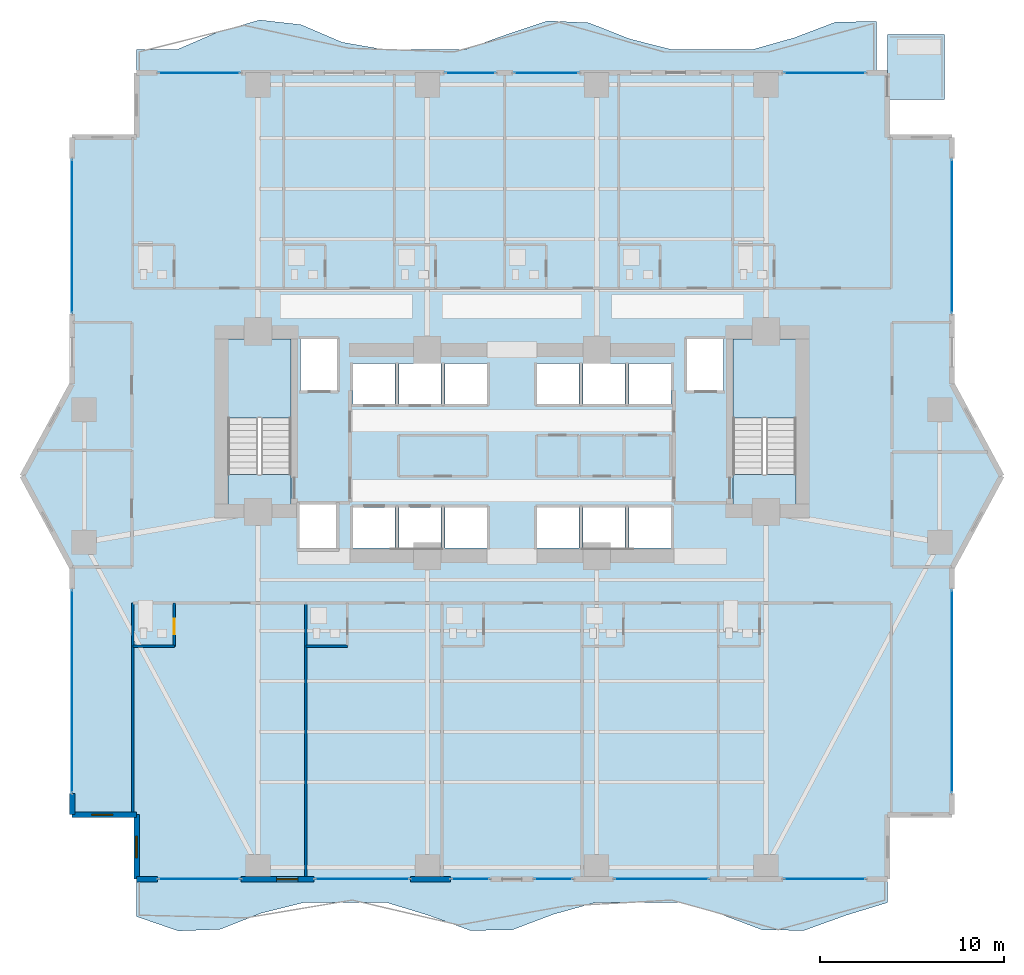
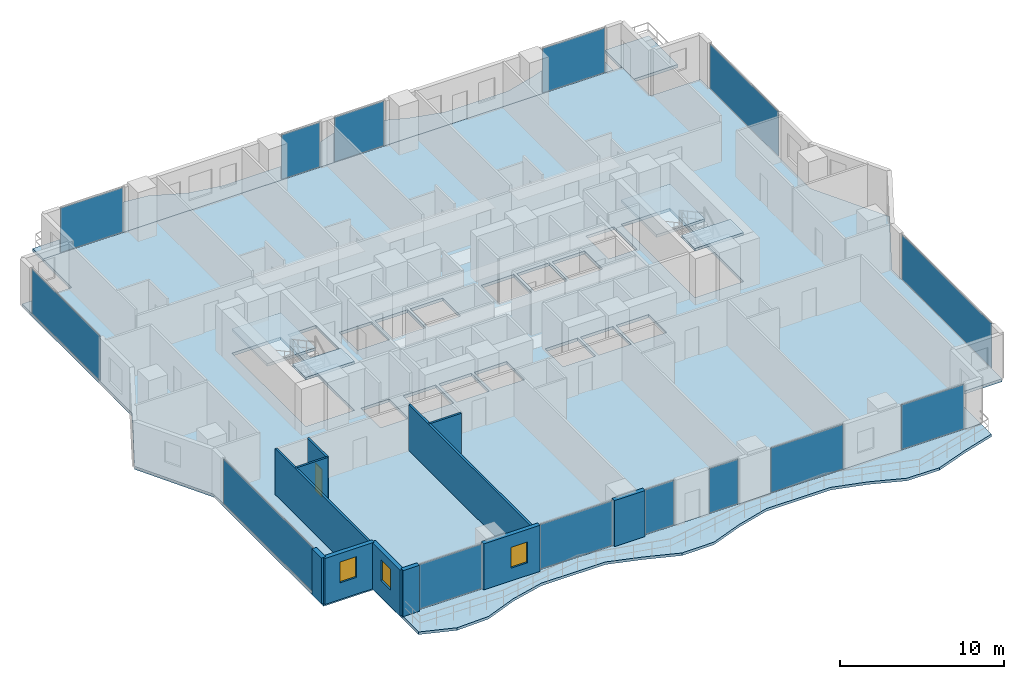
# One storey, part 19 of 28: 14 plates, 11 walls, 8 slabs, 3 windows, 1 door, 4 openings, 16 elements without a shape of their own.
"""IFC4 building model written with IfcOpenShell, lengths in metres."""

import ifcopenshell
import ifcopenshell.guid

model = None  # the IFC model being written
_history = None  # IfcOwnerHistory: only IFC2X3 demands one
_inside = {}  # id of a spatial element -> (the spatial element, [elements in it])
_under = {}  # id of a project, library or spatial element -> (it, [spatial elements below it])
_declared = {}  # id of a project -> (the project, [libraries it declares])
_typed = {}  # id of a type object -> (the type object, [elements of that type])
_made_of = {}  # id of a material, layer set ... -> (it, [elements and type objects made of it])


def new_model(schema):
    """Start an empty IFC model of exactly this schema.

    Asked for "IFC4X3", IfcOpenShell would pick the latest addendum, in which some entities
    have other attributes; the version numbers below select the first issue.
    IFC2X3 requires an IfcOwnerHistory on every rooted entity: one is made here for all.
    """
    global model, _history
    if schema == "IFC4X3":
        model = ifcopenshell.file(schema_version=(4, 3, 0, 0))
    else:
        model = ifcopenshell.file(schema=schema)
    _inside.clear()
    _under.clear()
    _declared.clear()
    _typed.clear()
    _made_of.clear()
    _history = None
    if model.schema == "IFC2X3":
        org = make("IfcOrganization", Name="unknown")
        user = make(
            "IfcPersonAndOrganization",
            ThePerson=make("IfcPerson", FamilyName="unknown"),
            TheOrganization=org,
        )
        app = make(
            "IfcApplication",
            ApplicationDeveloper=org,
            Version="unknown",
            ApplicationFullName="unknown",
            ApplicationIdentifier="unknown",
        )
        _history = make(
            "IfcOwnerHistory",
            OwningUser=user,
            OwningApplication=app,
            ChangeAction="ADDED",
            CreationDate=0,
        )
    return model


def make(cls, **values):
    """One entity of the class cls with the attributes given. An attribute that is None is left unset."""
    return model.create_entity(
        cls, **{name: value for name, value in values.items() if value is not None}
    )


def rooted(cls, **values):
    """An entity with a GlobalId (a new one), such as an element, a storey or a relation."""
    return make(cls, GlobalId=ifcopenshell.guid.new(), OwnerHistory=_history, **values)


def si_unit(unit_type, name, prefix=None):
    """IfcSIUnit, for example si_unit("LENGTHUNIT", "METRE", prefix="MILLI")."""
    return make("IfcSIUnit", UnitType=unit_type, Prefix=prefix, Name=name)


def assignment(units):
    """IfcUnitAssignment: the units of a project."""
    return None if units is None else make("IfcUnitAssignment", Units=units)


def point(xyz):
    """IfcCartesianPoint."""
    return None if xyz is None else make("IfcCartesianPoint", Coordinates=xyz)


def direction(xyz):
    """IfcDirection."""
    return None if xyz is None else make("IfcDirection", DirectionRatios=xyz)


def frame(location, z_axis=None, x_axis=None):
    """IfcAxis2Placement3D, a coordinate frame: its origin and axes. An axis left out is left unset."""
    return make(
        "IfcAxis2Placement3D",
        Location=point(location),
        Axis=direction(z_axis),
        RefDirection=direction(x_axis),
    )


def frame_2d(location, x_axis=None):
    """IfcAxis2Placement2D, a coordinate frame in the plane: its origin and x axis."""
    return make(
        "IfcAxis2Placement2D", Location=point(location), RefDirection=direction(x_axis)
    )


def origin():
    """The frame at (0, 0, 0) with its axes left unset."""
    return frame((0.0, 0.0, 0.0))


def origin_2d():
    """The frame at (0, 0) in the plane with its x axis left unset."""
    return frame_2d((0.0, 0.0))


def place(relative_to, where):
    """IfcLocalPlacement: puts the frame where relative to a parent placement (None: the world)."""
    return make(
        "IfcLocalPlacement", PlacementRelTo=relative_to, RelativePlacement=where
    )


def context(
    kind, dimensions, precision=None, world=None, true_north=None, identifier=None
):
    """IfcGeometricRepresentationContext, for example the 3D "Model" context."""
    return make(
        "IfcGeometricRepresentationContext",
        ContextIdentifier=identifier,
        ContextType=kind,
        CoordinateSpaceDimension=dimensions,
        Precision=precision,
        WorldCoordinateSystem=world,
        TrueNorth=true_north,
    )


def subcontext(parent, identifier, kind, view, scale=None):
    """IfcGeometricRepresentationSubContext, for example "Body" below "Model"."""
    return make(
        "IfcGeometricRepresentationSubContext",
        ContextIdentifier=identifier,
        ContextType=kind,
        ParentContext=parent,
        TargetScale=scale,
        TargetView=view,
    )


def project(units=None, contexts=None):
    """IfcProject with its units and contexts."""
    return rooted(
        "IfcProject",
        Name="project",
        RepresentationContexts=contexts,
        UnitsInContext=assignment(units),
    )


def spatial(cls, under=None, at=None, **own):
    """A site, building, storey or space (cls), placed at a placement, below another one or the project."""
    s = rooted(cls, ObjectPlacement=at, **own)
    if under is not None:
        _under.setdefault(under.id(), (under, []))[1].append(s)
    return s


def polyline(points):
    """IfcPolyline through the points."""
    return make("IfcPolyline", Points=[point(p) for p in points])


def profile(cls, at=None, kind="AREA", **sizes):
    """A parametric profile (cls). Its sizes go by their IFC names, for example OverallWidth=200.0."""
    return make(cls, ProfileType=kind, Position=at, **sizes)


def rectangle(**sizes):
    """IfcRectangleProfileDef."""
    return profile("IfcRectangleProfileDef", **sizes)


def outline(outer, holes=None, kind="AREA"):
    """IfcArbitraryClosedProfileDef: a profile drawn as a closed curve; with holes, ...WithVoids."""
    if holes is None:
        return make("IfcArbitraryClosedProfileDef", ProfileType=kind, OuterCurve=outer)
    return make(
        "IfcArbitraryProfileDefWithVoids",
        ProfileType=kind,
        OuterCurve=outer,
        InnerCurves=holes,
    )


def extrude(swept, where, along, depth):
    """IfcExtrudedAreaSolid: the profile swept, set in the frame where, extruded along a direction by depth."""
    return make(
        "IfcExtrudedAreaSolid",
        SweptArea=swept,
        Position=where,
        ExtrudedDirection=direction(along),
        Depth=depth,
    )


def shape(context_of_items, identifier, shape_type, items):
    """IfcShapeRepresentation: the items that make up one representation, for example the "Body"."""
    return make(
        "IfcShapeRepresentation",
        ContextOfItems=context_of_items,
        RepresentationIdentifier=identifier,
        RepresentationType=shape_type,
        Items=items,
    )


def material(Name=None, Category=None):
    """IfcMaterial."""
    return make("IfcMaterial", Name=Name, Category=Category)


def layer(
    of_material, thickness, ventilated=None, Name=None, Category=None, Priority=None
):
    """IfcMaterialLayer: one layer of a wall or slab, of a material (None: an air gap)."""
    return make(
        "IfcMaterialLayer",
        Material=of_material,
        LayerThickness=thickness,
        IsVentilated=ventilated,
        Name=Name,
        Category=Category,
        Priority=Priority,
    )


def layer_set(layers, Name=None):
    """IfcMaterialLayerSet."""
    return make("IfcMaterialLayerSet", MaterialLayers=layers, LayerSetName=Name)


def made_of(thing, what):
    """Note that an element or type object is made of a material, layer set ...; save() writes the relation."""
    if what is not None:
        _made_of.setdefault(what.id(), (what, []))[1].append(thing)
    return thing


def type_object(cls, material=None, **own):
    """A type object (cls), such as IfcWallType, which elements share."""
    return made_of(rooted(cls, **own), material)


def element(
    cls,
    number,
    at=None,
    inside=None,
    cuts=None,
    type_object=None,
    material=None,
    context=None,
    identifier="Body",
    shape_type=None,
    held_by="IfcProductDefinitionShape",
    body=None,
    shapes=None,
    **own,
):
    """One element of the class cls, such as IfcWall. Its Tag is "e" and its number.

    at: its placement. inside: the storey or other place that contains it. cuts: it is an
    opening in that element (IfcRelVoidsElement). A single representation is given by context,
    identifier, shape_type and body (its items); several are given by shapes. held_by: the class
    of the entity that holds the representations. save() writes the other relations.
    """
    e = rooted(cls, Tag="e%d" % number, ObjectPlacement=at, **own)
    if body is not None:
        shapes = [shape(context, identifier, shape_type, body)]
    if shapes is not None:
        e.Representation = make(held_by, Representations=shapes)
    if inside is not None:
        _inside.setdefault(inside.id(), (inside, []))[1].append(e)
    if cuts is not None:
        rooted(
            "IfcRelVoidsElement", RelatingBuildingElement=cuts, RelatedOpeningElement=e
        )
    if type_object is not None:
        _typed.setdefault(type_object.id(), (type_object, []))[1].append(e)
    return made_of(e, material)


def fill(opening, filler):
    """IfcRelFillsElement: the door or window that sits in an opening."""
    return rooted(
        "IfcRelFillsElement",
        RelatingOpeningElement=opening,
        RelatedBuildingElement=filler,
    )


def aggregate(whole, parts):
    """IfcRelAggregates: a whole, such as a stair, and the parts it consists of."""
    return rooted("IfcRelAggregates", RelatingObject=whole, RelatedObjects=parts)


def save(model, path):
    """Write the relations noted so far, then the file.

    IfcRelAggregates (storeys below a building ...), IfcRelContainedInSpatialStructure (elements
    in a storey), IfcRelDefinesByType, IfcRelAssociatesMaterial and IfcRelDeclares: one each for
    every whole, place, type object, material and project.
    """
    for whole, parts in _under.values():
        aggregate(whole, parts)
    for where, things in _inside.values():
        rooted(
            "IfcRelContainedInSpatialStructure",
            RelatedElements=things,
            RelatingStructure=where,
        )
    for kind, things in _typed.values():
        rooted("IfcRelDefinesByType", RelatedObjects=things, RelatingType=kind)
    for what, things in _made_of.values():
        rooted("IfcRelAssociatesMaterial", RelatedObjects=things, RelatingMaterial=what)
    for by, libraries in _declared.values():
        rooted("IfcRelDeclares", RelatingContext=by, RelatedDefinitions=libraries)
    model.write(path)


model = new_model("IFC4")

# Units and contexts
model_context = context("Model", 3, precision=1e-05, world=origin(), true_north=direction((0.0, 1.0)))
body_context = subcontext(model_context, "Body", "Model", "MODEL_VIEW")
ifc_project = project(units=[si_unit("LENGTHUNIT", "METRE"), si_unit("AREAUNIT", "SQUARE_METRE"), si_unit("VOLUMEUNIT", "CUBIC_METRE"), si_unit("PLANEANGLEUNIT", "RADIAN"), si_unit("MASSUNIT", "GRAM", prefix="KILO")], contexts=[model_context])

# Site, building, storey
site_placement = place(None, origin())
site = spatial("IfcSite", under=ifc_project, at=site_placement, CompositionType="ELEMENT")
building_placement = place(site_placement, origin())
building = spatial("IfcBuilding", under=site, at=building_placement, Name="Zuhayl Quay Hotel", CompositionType="ELEMENT")
storey_placement = place(building_placement, frame((0.0, 0.0, 99.300048828125)))
storey = spatial("IfcBuildingStorey", under=building, at=storey_placement, Name="L24", CompositionType="ELEMENT", Elevation=99.300048828125)

# Curtain wall, plate
ifc_material_1 = material(Name="Anodised Aluminium 6063-T6", Category="aluminium")
ifc_layer_1 = layer(ifc_material_1, 0.179931640625, Name="Anodised Aluminium 6063-T6", Category="aluminium")
ifc_layer_set_1 = layer_set([ifc_layer_1], Name="Anodised Aluminium 6063-T6")
curtain_wall_type = type_object("IfcCurtainWallType", Name="CW_SYS_Z2", PredefinedType="USERDEFINED", material=ifc_layer_set_1)
curtain_wall_1_placement = place(storey_placement, origin())
curtain_wall_1 = element("IfcCurtainWall", 1, at=curtain_wall_1_placement, inside=storey, type_object=curtain_wall_type, Name="L24 Curtain Wall ENV_L24_E02_CW1", ObjectType="UNITISED CURTAIN WALL", PredefinedType="USERDEFINED")
ifc_material_2 = material(Name="Dark Ceramic-Fritted Solar Glass", Category="glass")
ifc_layer_2 = layer(ifc_material_2, 0.035888671875, Name="Dark Ceramic-Fritted Solar Glass", Category="glass")
ifc_layer_set_2 = layer_set([ifc_layer_2], Name="Dark Ceramic-Fritted Solar Glass")
plate_type = type_object("IfcPlateType", Name="PN_DARK_FRIT_Z1", PredefinedType="CURTAIN_PANEL", material=ifc_layer_set_2)
plate_1_placement = place(storey_placement, frame((-23.89990234375, -5.199951171875, 0.059814453125), z_axis=(0.0, 0.0, 1.0), x_axis=(0.0, 1.0, 0.0)))
plate_1 = element("IfcPlate", 2, at=plate_1_placement, type_object=plate_type, Name="CW-Z2 panel 1.1", PredefinedType="CURTAIN_PANEL", context=body_context, shape_type="SweptSolid", body=[
    extrude(rectangle(XDim=10.969970703125, YDim=0.035888671875, at=origin_2d()), origin(), (0.0, 0.0, 1.0), 3.31005859375),
])
aggregate(curtain_wall_1, [plate_1])

curtain_wall_2_placement = place(storey_placement, origin())
curtain_wall_2 = element("IfcCurtainWall", 3, at=curtain_wall_2_placement, inside=storey, type_object=curtain_wall_type, Name="L24 Curtain Wall ENV_L24_E05_CW1", ObjectType="UNITISED CURTAIN WALL", PredefinedType="USERDEFINED")
plate_2_placement = place(storey_placement, frame((-23.89990234375, 19.52490234375, 0.059814453125), z_axis=(0.0, 0.0, 1.0), x_axis=(0.0, 1.0, 0.0)))
plate_2 = element("IfcPlate", 4, at=plate_2_placement, type_object=plate_type, Name="CW-Z2 panel 1.1", PredefinedType="CURTAIN_PANEL", context=body_context, shape_type="SweptSolid", body=[
    extrude(rectangle(XDim=8.320068359375, YDim=0.035888671875, at=origin_2d()), origin(), (0.0, 0.0, 1.0), 3.31005859375),
])
aggregate(curtain_wall_2, [plate_2])

curtain_wall_3_placement = place(storey_placement, origin())
curtain_wall_3 = element("IfcCurtainWall", 5, at=curtain_wall_3_placement, inside=storey, type_object=curtain_wall_type, Name="L24 Curtain Wall ENV_L24_N_CW1", ObjectType="UNITISED CURTAIN WALL", PredefinedType="USERDEFINED")
plate_3_placement = place(storey_placement, frame((-16.985107421875, 28.39990234375, 0.059814453125), z_axis=(0.0, 0.0, 1.0), x_axis=(1.0, 0.0, 0.0)))
plate_3 = element("IfcPlate", 6, at=plate_3_placement, type_object=plate_type, Name="CW-Z2 panel 1.1", PredefinedType="CURTAIN_PANEL", context=body_context, shape_type="SweptSolid", body=[
    extrude(rectangle(XDim=4.39990234375, YDim=0.035888671875, at=origin_2d()), origin(), (0.0, 0.0, 1.0), 3.31005859375),
])
aggregate(curtain_wall_3, [plate_3])

curtain_wall_4_placement = place(storey_placement, origin())
curtain_wall_4 = element("IfcCurtainWall", 7, at=curtain_wall_4_placement, inside=storey, type_object=curtain_wall_type, Name="L24 Curtain Wall ENV_L24_N_CW2", ObjectType="UNITISED CURTAIN WALL", PredefinedType="USERDEFINED")
plate_4_placement = place(storey_placement, frame((-2.264892578125, 28.39990234375, 0.059814453125), z_axis=(0.0, 0.0, 1.0), x_axis=(1.0, 0.0, 0.0)))
plate_4 = element("IfcPlate", 8, at=plate_4_placement, type_object=plate_type, Name="CW-Z2 panel 1.1", PredefinedType="CURTAIN_PANEL", context=body_context, shape_type="SweptSolid", body=[
    extrude(rectangle(XDim=2.699951171875, YDim=0.035888671875, at=origin_2d()), origin(), (0.0, 0.0, 1.0), 3.31005859375),
])
aggregate(curtain_wall_4, [plate_4])

curtain_wall_5_placement = place(storey_placement, origin())
curtain_wall_5 = element("IfcCurtainWall", 9, at=curtain_wall_5_placement, inside=storey, type_object=curtain_wall_type, Name="L24 Curtain Wall ENV_L24_N_CW3", ObjectType="UNITISED CURTAIN WALL", PredefinedType="USERDEFINED")
plate_5_placement = place(storey_placement, frame((1.864990234375, 28.39990234375, 0.059814453125), z_axis=(0.0, 0.0, 1.0), x_axis=(1.0, 0.0, 0.0)))
plate_5 = element("IfcPlate", 10, at=plate_5_placement, type_object=plate_type, Name="CW-Z2 panel 1.1", PredefinedType="CURTAIN_PANEL", context=body_context, shape_type="SweptSolid", body=[
    extrude(rectangle(XDim=3.5, YDim=0.035888671875, at=origin_2d()), origin(), (0.0, 0.0, 1.0), 3.31005859375),
])
aggregate(curtain_wall_5, [plate_5])

curtain_wall_6_placement = place(storey_placement, origin())
curtain_wall_6 = element("IfcCurtainWall", 11, at=curtain_wall_6_placement, inside=storey, type_object=curtain_wall_type, Name="L24 Curtain Wall ENV_L24_N_CW4", ObjectType="UNITISED CURTAIN WALL", PredefinedType="USERDEFINED")
plate_6_placement = place(storey_placement, frame((16.985107421875, 28.39990234375, 0.059814453125), z_axis=(0.0, 0.0, 1.0), x_axis=(1.0, 0.0, 0.0)))
plate_6 = element("IfcPlate", 12, at=plate_6_placement, type_object=plate_type, Name="CW-Z2 panel 1.1", PredefinedType="CURTAIN_PANEL", context=body_context, shape_type="SweptSolid", body=[
    extrude(rectangle(XDim=4.39990234375, YDim=0.035888671875, at=origin_2d()), origin(), (0.0, 0.0, 1.0), 3.31005859375),
])
aggregate(curtain_wall_6, [plate_6])

curtain_wall_7_placement = place(storey_placement, origin())
curtain_wall_7 = element("IfcCurtainWall", 13, at=curtain_wall_7_placement, inside=storey, type_object=curtain_wall_type, Name="L24 Curtain Wall ENV_L24_E11_CW1", ObjectType="UNITISED CURTAIN WALL", PredefinedType="USERDEFINED")
plate_7_placement = place(storey_placement, frame((23.89990234375, 19.52490234375, 0.059814453125), z_axis=(0.0, 0.0, 1.0), x_axis=(0.0, -1.0, 0.0)))
plate_7 = element("IfcPlate", 14, at=plate_7_placement, type_object=plate_type, Name="CW-Z2 panel 1.1", PredefinedType="CURTAIN_PANEL", context=body_context, shape_type="SweptSolid", body=[
    extrude(rectangle(XDim=8.320068359375, YDim=0.035888671875, at=origin_2d()), origin(), (0.0, 0.0, 1.0), 3.31005859375),
])
aggregate(curtain_wall_7, [plate_7])

curtain_wall_8_placement = place(storey_placement, origin())
curtain_wall_8 = element("IfcCurtainWall", 15, at=curtain_wall_8_placement, inside=storey, type_object=curtain_wall_type, Name="L24 Curtain Wall ENV_L24_E14_CW1", ObjectType="UNITISED CURTAIN WALL", PredefinedType="USERDEFINED")
plate_8_placement = place(storey_placement, frame((23.89990234375, -5.199951171875, 0.059814453125), z_axis=(0.0, 0.0, 1.0), x_axis=(0.0, -1.0, 0.0)))
plate_8 = element("IfcPlate", 16, at=plate_8_placement, type_object=plate_type, Name="CW-Z2 panel 1.1", PredefinedType="CURTAIN_PANEL", context=body_context, shape_type="SweptSolid", body=[
    extrude(rectangle(XDim=10.969970703125, YDim=0.035888671875, at=origin_2d()), origin(), (0.0, 0.0, 1.0), 3.31005859375),
])
aggregate(curtain_wall_8, [plate_8])

curtain_wall_9_placement = place(storey_placement, origin())
curtain_wall_9 = element("IfcCurtainWall", 17, at=curtain_wall_9_placement, inside=storey, type_object=curtain_wall_type, Name="L24 Curtain Wall ENV_L24_S_CW1", ObjectType="UNITISED CURTAIN WALL", PredefinedType="USERDEFINED")
plate_9_placement = place(storey_placement, frame((16.985107421875, -15.39990234375, 0.059814453125), z_axis=(0.0, 0.0, 1.0), x_axis=(-1.0, 0.0, 0.0)))
plate_9 = element("IfcPlate", 18, at=plate_9_placement, type_object=plate_type, Name="CW-Z2 panel 1.1", PredefinedType="CURTAIN_PANEL", context=body_context, shape_type="SweptSolid", body=[
    extrude(rectangle(XDim=4.39990234375, YDim=0.035888671875, at=origin_2d()), origin(), (0.0, 0.0, 1.0), 3.31005859375),
])
aggregate(curtain_wall_9, [plate_9])

curtain_wall_10_placement = place(storey_placement, origin())
curtain_wall_10 = element("IfcCurtainWall", 19, at=curtain_wall_10_placement, inside=storey, type_object=curtain_wall_type, Name="L24 Curtain Wall ENV_L24_S_CW2", ObjectType="UNITISED CURTAIN WALL", PredefinedType="USERDEFINED")
plate_10_placement = place(storey_placement, frame((8.135009765625, -15.39990234375, 0.059814453125), z_axis=(0.0, 0.0, 1.0), x_axis=(-1.0, 0.0, 0.0)))
plate_10 = element("IfcPlate", 20, at=plate_10_placement, type_object=plate_type, Name="CW-Z2 panel 1.1", PredefinedType="CURTAIN_PANEL", context=body_context, shape_type="SweptSolid", body=[
    extrude(rectangle(XDim=5.10009765625, YDim=0.035888671875, at=origin_2d()), origin(), (0.0, 0.0, 1.0), 3.31005859375),
])
aggregate(curtain_wall_10, [plate_10])

curtain_wall_11_placement = place(storey_placement, origin())
curtain_wall_11 = element("IfcCurtainWall", 21, at=curtain_wall_11_placement, inside=storey, type_object=curtain_wall_type, Name="L24 Curtain Wall ENV_L24_S_CW3", ObjectType="UNITISED CURTAIN WALL", PredefinedType="USERDEFINED")
plate_11_placement = place(storey_placement, frame((2.262451171875, -15.39990234375, 0.059814453125), z_axis=(0.0, 0.0, 1.0), x_axis=(-1.0, 0.0, 0.0)))
plate_11 = element("IfcPlate", 22, at=plate_11_placement, type_object=plate_type, Name="CW-Z2 panel 1.1", PredefinedType="CURTAIN_PANEL", context=body_context, shape_type="SweptSolid", body=[
    extrude(rectangle(XDim=2.044921875, YDim=0.035888671875, at=origin_2d()), origin(), (0.0, 0.0, 1.0), 3.31005859375),
])
aggregate(curtain_wall_11, [plate_11])

curtain_wall_12_placement = place(storey_placement, origin())
curtain_wall_12 = element("IfcCurtainWall", 23, at=curtain_wall_12_placement, inside=storey, type_object=curtain_wall_type, Name="L24 Curtain Wall ENV_L24_S_CW4", ObjectType="UNITISED CURTAIN WALL", PredefinedType="USERDEFINED")
plate_12_placement = place(storey_placement, frame((-2.262451171875, -15.39990234375, 0.059814453125), z_axis=(0.0, 0.0, 1.0), x_axis=(-1.0, 0.0, 0.0)))
plate_12 = element("IfcPlate", 24, at=plate_12_placement, type_object=plate_type, Name="CW-Z2 panel 1.1", PredefinedType="CURTAIN_PANEL", context=body_context, shape_type="SweptSolid", body=[
    extrude(rectangle(XDim=2.044921875, YDim=0.035888671875, at=origin_2d()), origin(), (0.0, 0.0, 1.0), 3.31005859375),
])
aggregate(curtain_wall_12, [plate_12])

curtain_wall_13_placement = place(storey_placement, origin())
curtain_wall_13 = element("IfcCurtainWall", 25, at=curtain_wall_13_placement, inside=storey, type_object=curtain_wall_type, Name="L24 Curtain Wall ENV_L24_S_CW5", ObjectType="UNITISED CURTAIN WALL", PredefinedType="USERDEFINED")
plate_13_placement = place(storey_placement, frame((-8.135009765625, -15.39990234375, 0.059814453125), z_axis=(0.0, 0.0, 1.0), x_axis=(-1.0, 0.0, 0.0)))
plate_13 = element("IfcPlate", 26, at=plate_13_placement, type_object=plate_type, Name="CW-Z2 panel 1.1", PredefinedType="CURTAIN_PANEL", context=body_context, shape_type="SweptSolid", body=[
    extrude(rectangle(XDim=5.10009765625, YDim=0.035888671875, at=origin_2d()), origin(), (0.0, 0.0, 1.0), 3.31005859375),
])
aggregate(curtain_wall_13, [plate_13])

curtain_wall_14_placement = place(storey_placement, origin())
curtain_wall_14 = element("IfcCurtainWall", 27, at=curtain_wall_14_placement, inside=storey, type_object=curtain_wall_type, Name="L24 Curtain Wall ENV_L24_S_CW6", ObjectType="UNITISED CURTAIN WALL", PredefinedType="USERDEFINED")
plate_14_placement = place(storey_placement, frame((-16.985107421875, -15.39990234375, 0.059814453125), z_axis=(0.0, 0.0, 1.0), x_axis=(-1.0, 0.0, 0.0)))
plate_14 = element("IfcPlate", 28, at=plate_14_placement, type_object=plate_type, Name="CW-Z2 panel 1.1", PredefinedType="CURTAIN_PANEL", context=body_context, shape_type="SweptSolid", body=[
    extrude(rectangle(XDim=4.39990234375, YDim=0.035888671875, at=origin_2d()), origin(), (0.0, 0.0, 1.0), 3.31005859375),
])
aggregate(curtain_wall_14, [plate_14])

# Slabs
ifc_material_3 = material(Name="Concrete C45/55", Category="concrete")
ifc_layer_3 = layer(ifc_material_3, 0.195068359375, Name="Concrete C45/55", Category="concrete")
ifc_layer_set_3 = layer_set([ifc_layer_3], Name="Concrete C45/55")
slab_type_1 = type_object("IfcSlabType", Name="SL_BALCONY_195", PredefinedType="FLOOR", material=ifc_layer_set_3)
slab_1_placement = place(storey_placement, frame((0.0, 0.0, -0.195068359375)))
element("IfcSlab", 29, at=slab_1_placement, inside=storey, type_object=slab_type_1, Name="L24 Exterior Rippling Balcony Slab North", PredefinedType="FLOOR", context=body_context, shape_type="SweptSolid", body=[
    extrude(outline(polyline([(-20.39990234375, 28.39990234375), (19.800048828125, 28.39990234375), (19.800048828125, 31.204833984375), (17.566650390625, 31.15625), (15.333251953125, 30.309814453125), (13.10009765625, 29.679931640625), (10.86669921875, 29.679931640625), (8.63330078125, 29.679931640625), (6.39990234375, 30.24560546875), (4.166748046875, 31.124267578125), (1.933349609375, 31.228271484375), (-0.300048828125, 30.482666015625), (-2.533203125, 29.679931640625), (-4.7666015625, 29.679931640625), (-7.0, 29.679931640625), (-9.2333984375, 30.06640625), (-11.466796875, 31.021484375), (-13.699951171875, 31.27587890625), (-15.933349609375, 30.646484375), (-18.166748046875, 29.679931640625), (-20.39990234375, 29.679931640625), (-20.39990234375, 28.39990234375)])), origin(), (0.0, 0.0, 1.0), 0.195068359375),
])
slab_2_placement = place(storey_placement, frame((0.0, 0.0, -0.195068359375)))
element("IfcSlab", 30, at=slab_2_placement, inside=storey, type_object=slab_type_1, Name="L24 Exterior Rippling Balcony Slab South", PredefinedType="FLOOR", context=body_context, shape_type="SweptSolid", body=[
    extrude(outline(polyline([(-20.39990234375, -17.436279296875), (-18.13330078125, -18.217041015625), (-15.86669921875, -18.132568359375), (-13.60009765625, -17.24560546875), (-11.333251953125, -16.679931640625), (-9.066650390625, -16.679931640625), (-6.800048828125, -16.679931640625), (-4.533203125, -17.37353515625), (-2.2666015625, -18.19189453125), (0.0, -18.163818359375), (2.2666015625, -17.309814453125), (4.533203125, -16.679931640625), (6.800048828125, -16.679931640625), (9.066650390625, -16.679931640625), (11.333251953125, -17.309814453125), (13.60009765625, -18.163818359375), (15.86669921875, -18.19189453125), (18.13330078125, -17.37353515625), (20.39990234375, -16.679931640625), (20.39990234375, -15.39990234375), (-20.39990234375, -15.39990234375), (-20.39990234375, -17.436279296875)])), origin(), (0.0, 0.0, 1.0), 0.195068359375),
])
ifc_layer_4 = layer(ifc_material_3, 0.219970703125, Name="Concrete C45/55", Category="concrete")
ifc_layer_set_4 = layer_set([ifc_layer_4], Name="Concrete C45/55")
slab_type_2 = type_object("IfcSlabType", Name="SL_FLOOR_220", PredefinedType="FLOOR", material=ifc_layer_set_4)
slab_3_placement = place(storey_placement, frame((0.0, 0.0, -0.219970703125)))
element("IfcSlab", 31, at=slab_3_placement, inside=storey, type_object=slab_type_2, Name="L24 Structural Floor Slab", PredefinedType="FLOOR", context=body_context, shape_type="SweptSolid", body=[
    extrude(outline(polyline([(-20.39990234375, -15.39990234375), (20.39990234375, -15.39990234375), (20.39990234375, -11.89990234375), (23.89990234375, -11.89990234375), (23.89990234375, 1.5), (26.60009765625, 6.5), (23.89990234375, 11.5), (23.89990234375, 24.89990234375), (20.39990234375, 24.89990234375), (20.39990234375, 28.39990234375), (-20.39990234375, 28.39990234375), (-20.39990234375, 24.89990234375), (-23.89990234375, 24.89990234375), (-23.89990234375, 11.5), (-26.60009765625, 6.5), (-23.89990234375, 1.5), (-23.89990234375, -11.89990234375), (-20.39990234375, -11.89990234375), (-20.39990234375, -15.39990234375)]), holes=[polyline([(-12.0, 4.949951171875), (-12.0, 13.949951171875), (-15.429931640625, 13.949951171875), (-15.429931640625, 4.949951171875), (-12.0, 4.949951171875)]), polyline([(15.429931640625, 4.949951171875), (15.429931640625, 13.949951171875), (12.0, 13.949951171875), (12.0, 4.949951171875), (15.429931640625, 4.949951171875)]), polyline([(-11.5, 11.14990234375), (-9.5, 11.14990234375), (-9.5, 13.949951171875), (-11.5, 13.949951171875), (-11.5, 11.14990234375)]), polyline([(9.5, 11.14990234375), (11.5, 11.14990234375), (11.5, 13.949951171875), (9.5, 13.949951171875), (9.5, 11.14990234375)]), polyline([(-8.64990234375, 2.60009765625), (-6.35009765625, 2.60009765625), (-6.35009765625, 4.800048828125), (-8.64990234375, 4.800048828125), (-8.64990234375, 2.60009765625)]), polyline([(-6.14990234375, 2.60009765625), (-3.85009765625, 2.60009765625), (-3.85009765625, 4.800048828125), (-6.14990234375, 4.800048828125), (-6.14990234375, 2.60009765625)]), polyline([(-8.64990234375, 10.39990234375), (-6.35009765625, 10.39990234375), (-6.35009765625, 12.60009765625), (-8.64990234375, 12.60009765625), (-8.64990234375, 10.39990234375)]), polyline([(-6.14990234375, 10.39990234375), (-3.85009765625, 10.39990234375), (-3.85009765625, 12.60009765625), (-6.14990234375, 12.60009765625), (-6.14990234375, 10.39990234375)]), polyline([(-3.64990234375, 2.60009765625), (-1.35009765625, 2.60009765625), (-1.35009765625, 4.800048828125), (-3.64990234375, 4.800048828125), (-3.64990234375, 2.60009765625)]), polyline([(1.35009765625, 2.60009765625), (3.64990234375, 2.60009765625), (3.64990234375, 4.800048828125), (1.35009765625, 4.800048828125), (1.35009765625, 2.60009765625)]), polyline([(-3.64990234375, 10.39990234375), (-1.35009765625, 10.39990234375), (-1.35009765625, 12.60009765625), (-3.64990234375, 12.60009765625), (-3.64990234375, 10.39990234375)]), polyline([(1.35009765625, 10.39990234375), (3.64990234375, 10.39990234375), (3.64990234375, 12.60009765625), (1.35009765625, 12.60009765625), (1.35009765625, 10.39990234375)]), polyline([(3.85009765625, 2.60009765625), (6.14990234375, 2.60009765625), (6.14990234375, 4.800048828125), (3.85009765625, 4.800048828125), (3.85009765625, 2.60009765625)]), polyline([(6.35009765625, 2.60009765625), (8.64990234375, 2.60009765625), (8.64990234375, 4.800048828125), (6.35009765625, 4.800048828125), (6.35009765625, 2.60009765625)]), polyline([(3.85009765625, 10.39990234375), (6.14990234375, 10.39990234375), (6.14990234375, 12.60009765625), (3.85009765625, 12.60009765625), (3.85009765625, 10.39990234375)]), polyline([(6.35009765625, 10.39990234375), (8.64990234375, 10.39990234375), (8.64990234375, 12.60009765625), (6.35009765625, 12.60009765625), (6.35009765625, 10.39990234375)]), polyline([(-11.550048828125, 2.550048828125), (-9.550048828125, 2.550048828125), (-9.550048828125, 4.949951171875), (-11.550048828125, 4.949951171875), (-11.550048828125, 2.550048828125)])]), origin(), (0.0, 0.0, 1.0), 0.219970703125),
])

# Stair, slabs
stair_type = type_object("IfcStairType", Name="ST_DOGLEG_TOWER", PredefinedType="HALF_TURN_STAIR", material=ifc_material_3)
stair_1_placement = place(storey_placement, origin())
stair_1 = element("IfcStair", 32, at=stair_1_placement, inside=storey, type_object=stair_type, Name="L24 Smokeproof Exit Stair ST1", PredefinedType="HALF_TURN_STAIR")
ifc_layer_5 = layer(ifc_material_3, 0.199951171875, Name="Concrete C45/55", Category="concrete")
ifc_layer_set_5 = layer_set([ifc_layer_5], Name="Concrete C45/55")
slab_type_3 = type_object("IfcSlabType", Name="SL_STAIR_LANDING_200", PredefinedType="LANDING", material=ifc_layer_set_5)
slab_4_placement = place(storey_placement, frame((0.0, 0.0, 1.625)))
slab_4 = element("IfcSlab", 33, at=slab_4_placement, type_object=slab_type_3, Name="ST1 landing 1", PredefinedType="LANDING", context=body_context, shape_type="SweptSolid", body=[
    extrude(outline(polyline([(-12.0, 9.64990234375), (-12.0, 13.949951171875), (-15.429931640625, 13.949951171875), (-15.429931640625, 9.64990234375), (-12.0, 9.64990234375)])), origin(), (0.0, 0.0, 1.0), 0.199951171875),
])
slab_5_placement = place(storey_placement, frame((0.0, 0.0, 3.449951171875)))
slab_5 = element("IfcSlab", 34, at=slab_5_placement, type_object=slab_type_3, Name="ST1 landing 2", PredefinedType="LANDING", context=body_context, shape_type="SweptSolid", body=[
    extrude(outline(polyline([(-12.0, 4.949951171875), (-12.0, 6.590087890625), (-15.429931640625, 6.590087890625), (-15.429931640625, 4.949951171875), (-12.0, 4.949951171875)])), origin(), (0.0, 0.0, 1.0), 0.199951171875),
])
aggregate(stair_1, [slab_4, slab_5])

stair_2_placement = place(storey_placement, origin())
stair_2 = element("IfcStair", 35, at=stair_2_placement, inside=storey, type_object=stair_type, Name="L24 Smokeproof Exit Stair ST2", PredefinedType="HALF_TURN_STAIR")
slab_6_placement = place(storey_placement, frame((0.0, 0.0, 1.625)))
slab_6 = element("IfcSlab", 36, at=slab_6_placement, type_object=slab_type_3, Name="ST2 landing 1", PredefinedType="LANDING", context=body_context, shape_type="SweptSolid", body=[
    extrude(outline(polyline([(15.429931640625, 9.64990234375), (15.429931640625, 13.949951171875), (12.0, 13.949951171875), (12.0, 9.64990234375), (15.429931640625, 9.64990234375)])), origin(), (0.0, 0.0, 1.0), 0.199951171875),
])
slab_7_placement = place(storey_placement, frame((0.0, 0.0, 3.449951171875)))
slab_7 = element("IfcSlab", 37, at=slab_7_placement, type_object=slab_type_3, Name="ST2 landing 2", PredefinedType="LANDING", context=body_context, shape_type="SweptSolid", body=[
    extrude(outline(polyline([(15.429931640625, 4.949951171875), (15.429931640625, 6.590087890625), (12.0, 6.590087890625), (12.0, 4.949951171875), (15.429931640625, 4.949951171875)])), origin(), (0.0, 0.0, 1.0), 0.199951171875),
])
aggregate(stair_2, [slab_6, slab_7])

# Slab
ifc_layer_6 = layer(ifc_material_3, 0.219970703125, Name="Concrete C45/55", Category="concrete")
ifc_layer_set_6 = layer_set([ifc_layer_6], Name="Concrete C45/55")
slab_type_4 = type_object("IfcSlabType", Name="SL_TERRACE_235", PredefinedType="FLOOR", material=ifc_layer_set_6)
slab_8_placement = place(storey_placement, frame((0.0, 0.0, -0.219970703125)))
element("IfcSlab", 38, at=slab_8_placement, inside=storey, type_object=slab_type_4, Name="L24 Exterior Sky-Terrace Slab L24_SPIRAL_NE", PredefinedType="FLOOR", context=body_context, shape_type="SweptSolid", body=[
    extrude(outline(polyline([(20.39990234375, 26.949951171875), (23.5, 26.949951171875), (23.5, 30.5), (20.39990234375, 30.5), (20.39990234375, 26.949951171875)])), origin(), (0.0, 0.0, 1.0), 0.219970703125),
])

# Wall, opening, window
ifc_material_4 = material(Name="Precast concrete C45/55", Category="concrete")
ifc_layer_7 = layer(ifc_material_4, 0.300048828125, Name="Precast concrete C45/55", Category="concrete")
ifc_layer_set_7 = layer_set([ifc_layer_7], Name="Precast concrete C45/55")
wall_type_1 = type_object("IfcWallType", Name="WL_EXT_300", PredefinedType="STANDARD", material=ifc_layer_set_7)
wall_1_placement = place(storey_placement, frame((-20.39990234375, -11.89990234375, 0.0), z_axis=(0.0, 0.0, 1.0), x_axis=(-1.0, 0.0, 0.0)))
wall_1 = element("IfcWall", 39, at=wall_1_placement, inside=storey, type_object=wall_type_1, Name="L24 Exterior Precast Wall ENV_L24_EW01", PredefinedType="STANDARD", context=body_context, shape_type="SweptSolid", body=[
    extrude(rectangle(XDim=3.5, YDim=0.300048828125, at=frame_2d((1.75, 0.0))), origin(), (0.0, 0.0, 1.0), 3.429931640625),
])
opening_1_placement = place(wall_1_placement, frame((1.284912109375, 0.0, 1.25)))
opening_1 = element("IfcOpeningElement", 40, at=opening_1_placement, cuts=wall_1, Name="Opening W01N", PredefinedType="OPENING", context=body_context, shape_type="SweptSolid", body=[
    extrude(rectangle(XDim=1.14990234375, YDim=1.550048828125, at=frame_2d((0.574951171875, 0.77490234375))), frame((0.0, 0.159912109375, 0.0), z_axis=(0.0, -1.0, 0.0), x_axis=(1.0, 0.0, 0.0)), (0.0, 0.0, 1.0), 0.320068359375),
])
window_type = type_object("IfcWindowType", Name="WN_NOTCH_1350", PartitioningType="SINGLE_PANEL", PredefinedType="WINDOW", material=ifc_material_2)
window_1_placement = place(opening_1_placement, origin())
window_1 = element("IfcWindow", 41, at=window_1_placement, inside=storey, type_object=window_type, Name="L24 Corner Notch Window 1", OverallHeight=1.550048828125, OverallWidth=1.14990234375, PartitioningType="SINGLE_PANEL", PredefinedType="WINDOW", context=body_context, shape_type="SweptSolid", body=[
    extrude(rectangle(XDim=1.14990234375, YDim=1.550048828125, at=frame_2d((0.574951171875, 0.77490234375))), frame((0.0, 0.030029296875, 0.0), z_axis=(0.0, -1.0, 0.0), x_axis=(1.0, 0.0, 0.0)), (0.0, 0.0, 1.0), 0.06005859375),
])
fill(opening_1, window_1)

# Walls
wall_2_placement = place(storey_placement, frame((-23.89990234375, -11.89990234375, 0.0), z_axis=(0.0, 0.0, 1.0), x_axis=(0.0, 1.0, 0.0)))
element("IfcWall", 42, at=wall_2_placement, inside=storey, type_object=wall_type_1, Name="L24 Exterior Precast Wall ENV_L24_E02_EW1", PredefinedType="STANDARD", context=body_context, shape_type="SweptSolid", body=[
    extrude(rectangle(XDim=1.14990234375, YDim=0.300048828125, at=frame_2d((0.574951171875, 0.0))), origin(), (0.0, 0.0, 1.0), 3.429931640625),
])
wall_3_placement = place(storey_placement, frame((-3.35009765625, -15.39990234375, 0.0), z_axis=(0.0, 0.0, 1.0), x_axis=(-1.0, 0.0, 0.0)))
element("IfcWall", 43, at=wall_3_placement, inside=storey, type_object=wall_type_1, Name="L24 Exterior Precast Wall ENV_L24_S_EW5", PredefinedType="STANDARD", context=body_context, shape_type="SweptSolid", body=[
    extrude(rectangle(XDim=2.169921875, YDim=0.300048828125, at=frame_2d((1.0849609375, 0.0))), origin(), (0.0, 0.0, 1.0), 3.429931640625),
])

# Wall, opening, window
wall_4_placement = place(storey_placement, frame((-10.75, -15.39990234375, 0.0), z_axis=(0.0, 0.0, 1.0), x_axis=(-1.0, 0.0, 0.0)))
wall_4 = element("IfcWall", 44, at=wall_4_placement, inside=storey, type_object=wall_type_1, Name="L24 Exterior Precast Wall ENV_L24_S_EW6", PredefinedType="STANDARD", context=body_context, shape_type="SweptSolid", body=[
    extrude(rectangle(XDim=3.969970703125, YDim=0.300048828125, at=frame_2d((1.98486328125, 0.0))), origin(), (0.0, 0.0, 1.0), 3.429931640625),
])
opening_2_placement = place(wall_4_placement, frame((0.885009765625, 0.0, 0.949951171875)))
opening_2 = element("IfcOpeningElement", 45, at=opening_2_placement, cuts=wall_4, Name="Opening W01N", PredefinedType="OPENING", context=body_context, shape_type="SweptSolid", body=[
    extrude(rectangle(XDim=1.14990234375, YDim=1.550048828125, at=frame_2d((0.574951171875, 0.77490234375))), frame((0.0, 0.159912109375, 0.0), z_axis=(0.0, -1.0, 0.0), x_axis=(1.0, 0.0, 0.0)), (0.0, 0.0, 1.0), 0.320068359375),
])
window_2_placement = place(opening_2_placement, origin())
window_2 = element("IfcWindow", 46, at=window_2_placement, inside=storey, type_object=window_type, Name="L24 Operable Facade Window 6-1", OverallHeight=1.550048828125, OverallWidth=1.14990234375, PartitioningType="SINGLE_PANEL", PredefinedType="WINDOW", context=body_context, shape_type="SweptSolid", body=[
    extrude(rectangle(XDim=1.14990234375, YDim=1.550048828125, at=frame_2d((0.574951171875, 0.77490234375))), frame((0.0, 0.030029296875, 0.0), z_axis=(0.0, -1.0, 0.0), x_axis=(1.0, 0.0, 0.0)), (0.0, 0.0, 1.0), 0.06005859375),
])
fill(opening_2, window_2)

# Wall
wall_5_placement = place(storey_placement, frame((-19.25, -15.39990234375, 0.0), z_axis=(0.0, 0.0, 1.0), x_axis=(-1.0, 0.0, 0.0)))
element("IfcWall", 47, at=wall_5_placement, inside=storey, type_object=wall_type_1, Name="L24 Exterior Precast Wall ENV_L24_S_EW7", PredefinedType="STANDARD", context=body_context, shape_type="SweptSolid", body=[
    extrude(rectangle(XDim=1.14990234375, YDim=0.300048828125, at=frame_2d((0.574951171875, 0.0))), origin(), (0.0, 0.0, 1.0), 3.429931640625),
])

# Wall, opening, window
wall_6_placement = place(storey_placement, frame((-20.39990234375, -15.39990234375, 0.0), z_axis=(0.0, 0.0, 1.0), x_axis=(0.0, 1.0, 0.0)))
wall_6 = element("IfcWall", 48, at=wall_6_placement, inside=storey, type_object=wall_type_1, Name="L24 Exterior Precast Wall ENV_L24_EW18", PredefinedType="STANDARD", context=body_context, shape_type="SweptSolid", body=[
    extrude(rectangle(XDim=3.5, YDim=0.300048828125, at=frame_2d((1.75, 0.0))), origin(), (0.0, 0.0, 1.0), 3.429931640625),
])
opening_3_placement = place(wall_6_placement, frame((1.1650390625, 0.0, 1.25)))
opening_3 = element("IfcOpeningElement", 49, at=opening_3_placement, cuts=wall_6, Name="Opening W01N", PredefinedType="OPENING", context=body_context, shape_type="SweptSolid", body=[
    extrude(rectangle(XDim=1.14990234375, YDim=1.550048828125, at=frame_2d((0.574951171875, 0.77490234375))), frame((0.0, 0.159912109375, 0.0), z_axis=(0.0, -1.0, 0.0), x_axis=(1.0, 0.0, 0.0)), (0.0, 0.0, 1.0), 0.320068359375),
])
window_3_placement = place(opening_3_placement, origin())
window_3 = element("IfcWindow", 50, at=window_3_placement, inside=storey, type_object=window_type, Name="L24 Corner Notch Window 18", OverallHeight=1.550048828125, OverallWidth=1.14990234375, PartitioningType="SINGLE_PANEL", PredefinedType="WINDOW", context=body_context, shape_type="SweptSolid", body=[
    extrude(rectangle(XDim=1.14990234375, YDim=1.550048828125, at=frame_2d((0.574951171875, 0.77490234375))), frame((0.0, 0.030029296875, 0.0), z_axis=(0.0, -1.0, 0.0), x_axis=(1.0, 0.0, 0.0)), (0.0, 0.0, 1.0), 0.06005859375),
])
fill(opening_3, window_3)

# Walls
ifc_material_5 = material(Name="Acoustic Gypsum Partition STC-58")
ifc_layer_8 = layer(ifc_material_5, 0.14990234375, Name="Acoustic Gypsum Partition STC-58")
ifc_layer_set_8 = layer_set([ifc_layer_8], Name="Acoustic Gypsum Partition STC-58")
wall_type_2 = type_object("IfcWallType", Name="WL_PART_150", PredefinedType="PARTITIONING", material=ifc_layer_set_8)
wall_7_placement = place(storey_placement, frame((-20.60009765625, -11.89990234375, 0.0), z_axis=(0.0, 0.0, 1.0), x_axis=(0.0, 1.0, 0.0)))
element("IfcWall", 51, at=wall_7_placement, inside=storey, type_object=wall_type_2, Name="L24 Partition IW_L24_SU01_W", PredefinedType="PARTITIONING", context=body_context, shape_type="SweptSolid", body=[
    extrude(rectangle(XDim=11.5, YDim=0.14990234375, at=frame_2d((5.75, 0.0))), origin(), (0.0, 0.0, 1.0), 3.429931640625),
])
wall_8_placement = place(storey_placement, frame((-11.199951171875, -15.320068359375, 0.0), z_axis=(0.0, 0.0, 1.0), x_axis=(0.0, 1.0, 0.0)))
element("IfcWall", 52, at=wall_8_placement, inside=storey, type_object=wall_type_2, Name="L24 Partition IW_L24_SU01_E", PredefinedType="PARTITIONING", context=body_context, shape_type="SweptSolid", body=[
    extrude(rectangle(XDim=14.920166015625, YDim=0.14990234375, at=frame_2d((7.4599609375, 0.0))), origin(), (0.0, 0.0, 1.0), 3.429931640625),
])

# Wall, opening, door
ifc_material_6 = material(Name="Moisture-Resistant Sanitarychase Gypsum")
ifc_layer_9 = layer(ifc_material_6, 0.135009765625, Name="Moisture-Resistant Sanitarychase Gypsum")
ifc_layer_set_9 = layer_set([ifc_layer_9], Name="Moisture-Resistant Sanitarychase Gypsum")
wall_type_3 = type_object("IfcWallType", Name="WL_PART_PLUMB_150", PredefinedType="PLUMBINGWALL", material=ifc_layer_set_9)
wall_9_placement = place(storey_placement, frame((-18.340087890625, -2.760009765625, 0.0), z_axis=(0.0, 0.0, 1.0), x_axis=(0.0, 1.0, 0.0)))
wall_9 = element("IfcWall", 53, at=wall_9_placement, inside=storey, type_object=wall_type_3, Name="L24 Partition IW_L24_SU01_BE", PredefinedType="PLUMBINGWALL", context=body_context, shape_type="SweptSolid", body=[
    extrude(rectangle(XDim=2.360107421875, YDim=0.135009765625, at=frame_2d((1.18017578125, 0.0))), origin(), (0.0, 0.0, 1.0), 3.429931640625),
])
opening_4_placement = place(wall_9_placement, frame((0.64990234375, 0.0, 0.0)))
opening_4 = element("IfcOpeningElement", 54, at=opening_4_placement, cuts=wall_9, Name="Opening D04", PredefinedType="OPENING", context=body_context, shape_type="SweptSolid", body=[
    extrude(rectangle(XDim=0.85009765625, YDim=2.10009765625, at=frame_2d((0.425048828125, 1.050048828125))), frame((0.0, 0.077392578125, 0.0), z_axis=(0.0, -1.0, 0.0), x_axis=(1.0, 0.0, 0.0)), (0.0, 0.0, 1.0), 0.155029296875),
])
ifc_material_7 = material(Name="Moisture-Resistant Walnut Veneer")
door_type = type_object("IfcDoorType", Name="DR_BATH_850", OperationType="NOTDEFINED", PredefinedType="DOOR", material=ifc_material_7)
door_placement = place(opening_4_placement, origin())
door = element("IfcDoor", 55, at=door_placement, inside=storey, type_object=door_type, Name="L24 City-View Junior Suite L24-01 En-Suite Door", OperationType="SINGLE_SWING_RIGHT", OverallHeight=2.10009765625, OverallWidth=0.85009765625, PredefinedType="DOOR", context=body_context, shape_type="SweptSolid", body=[
    extrude(rectangle(XDim=0.85009765625, YDim=2.10009765625, at=frame_2d((0.425048828125, 1.050048828125))), frame((0.0, 0.02490234375, 0.0), z_axis=(0.0, -1.0, 0.0), x_axis=(1.0, 0.0, 0.0)), (0.0, 0.0, 1.0), 0.050048828125),
])
fill(opening_4, door)

# Walls
for number, where, z_axis, x_axis, name in (
    (56, (-20.60009765625, -2.760009765625, 0.0), (0.0, 0.0, 1.0), (1.0, 0.0, 0.0), "L24 Partition IW_L24_SU01_BS"),
    (57, (-11.199951171875, -2.760009765625, 0.0), (0.0, 0.0, 1.0), (1.0, 0.0, 0.0), "L24 Partition IW_L24_SU02_BS"),
):
    element("IfcWall", number, at=place(storey_placement, frame(where, z_axis=z_axis, x_axis=x_axis)), inside=storey, type_object=wall_type_3, Name=name, PredefinedType="PLUMBINGWALL", context=body_context, shape_type="SweptSolid", body=[
        extrude(rectangle(XDim=2.260009765625, YDim=0.135009765625, at=frame_2d((1.1298828125, 0.0))), origin(), (0.0, 0.0, 1.0), 3.429931640625),
    ])

save(model, "model.ifc")
